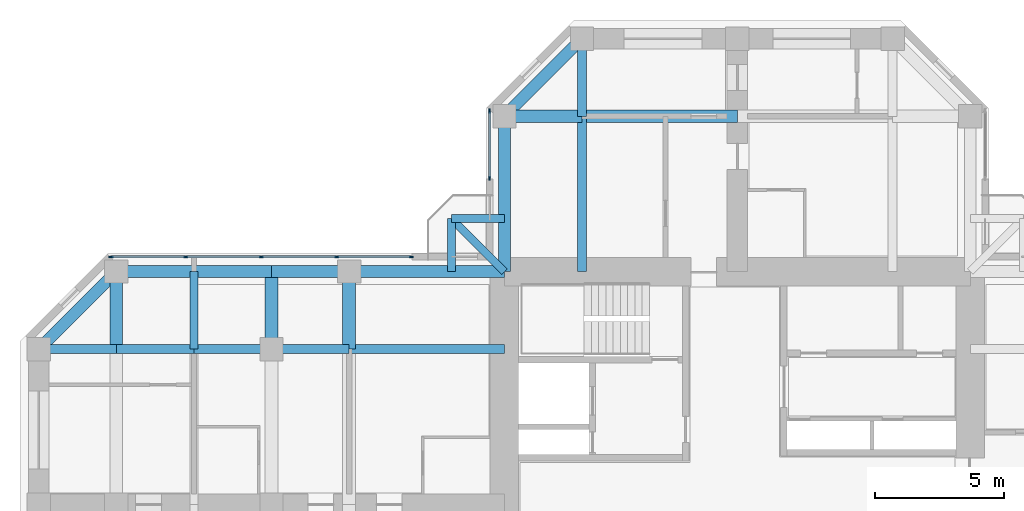
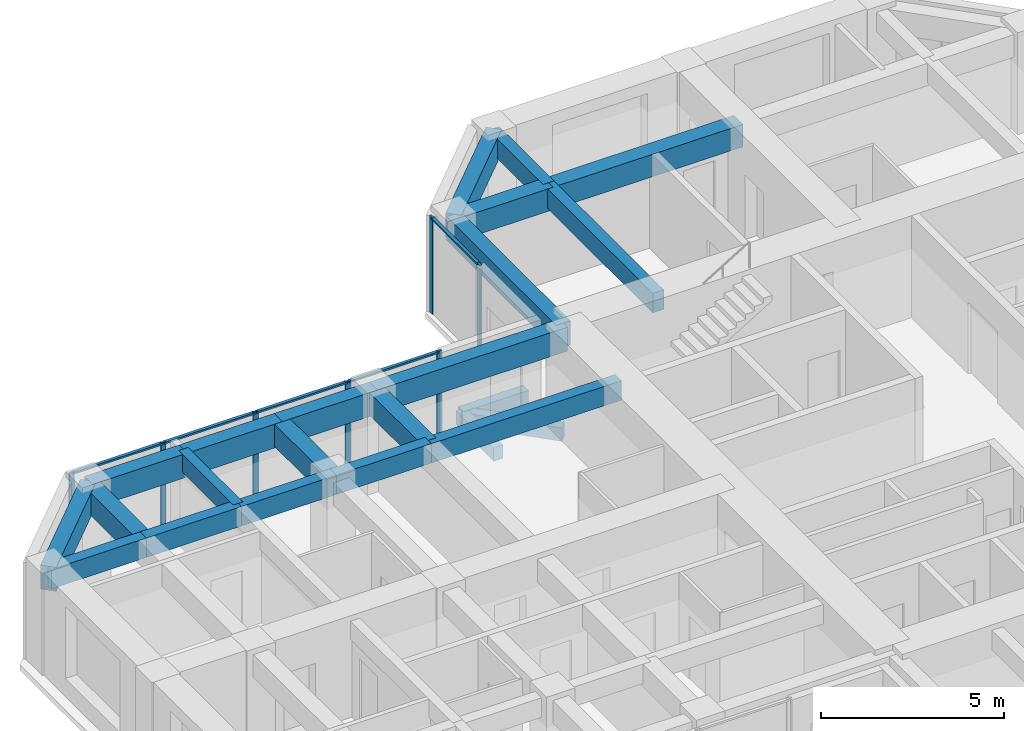
# One storey, part 5 of 13: 23 beams, 12 members, 2 elements without a shape of their own.
"""IFC4 building model written with IfcOpenShell, lengths in metres."""

from ifc_helpers import new_model, si_unit, direction, frame, origin, origin_2d, place, context, subcontext, project, spatial, rectangle, extrude, material, material_profile, profile_set, type_object, element, aggregate, save


model = new_model("IFC4")

# Units and contexts
model_context = context("Model", 3, precision=1e-05, world=origin(), true_north=direction((0.0, 1.0)))
body_context = subcontext(model_context, "Body", "Model", "MODEL_VIEW")
ifc_project = project(units=[si_unit("LENGTHUNIT", "METRE"), si_unit("AREAUNIT", "SQUARE_METRE"), si_unit("VOLUMEUNIT", "CUBIC_METRE"), si_unit("PLANEANGLEUNIT", "RADIAN"), si_unit("MASSUNIT", "GRAM", prefix="KILO")], contexts=[model_context])

# Site, building, storey
site_placement = place(None, origin())
site = spatial("IfcSite", under=ifc_project, at=site_placement, CompositionType="ELEMENT")
building_placement = place(site_placement, origin())
building = spatial("IfcBuilding", under=site, at=building_placement, Name="Torre Cruceta", CompositionType="ELEMENT")
storey_placement = place(building_placement, frame((0.0, 0.0, 196.699951171875)))
storey = spatial("IfcBuildingStorey", under=building, at=storey_placement, Name="L49", CompositionType="ELEMENT", Elevation=196.699951171875)

# Beams
ifc_material_1 = material(Name="Concrete G60 (fck 60 MPa)", Category="concrete")
ifc_material_profile_1 = material_profile(ifc_material_1, rectangle(XDim=0.300048828125, YDim=0.449951171875, at=origin_2d()), Name="RC 300X450")
ifc_profile_set_1 = profile_set([ifc_material_profile_1], Name="Concrete G60 (fck 60 MPa)")
beam_type_1 = type_object("IfcBeamType", Name="BALCONY CANTILEVER BEAM RC 300X450", PredefinedType="BEAM", material=ifc_profile_set_1)
beam_1_placement = place(storey_placement, frame((-9.0, 9.0, -0.405029296875), z_axis=(-0.707106781187, 0.707106781187, 0.0), x_axis=(-0.707106781187, -0.707106781187, 0.0)))
element("IfcBeam", 1, at=beam_1_placement, inside=storey, type_object=beam_type_1, Name="BB1 balcony beam L49 N", PredefinedType="BEAM", context=body_context, shape_type="SweptSolid", body=[
    extrude(rectangle(XDim=0.300048828125, YDim=0.449951171875, at=origin_2d()), origin(), (0.0, 0.0, 1.0), 2.89990234375),
])
for number, where, z_axis, x_axis, name in (
    (2, (-11.050537109375, 9.0, -0.405029296875), (0.0, 1.0, 0.0), (-1.0, 0.0, 0.0), "BB1 balcony edge beam L49 N-X"),
    (3, (-9.0, 11.050537109375, -0.405029296875), (-1.0, 0.0, 0.0), (0.0, -1.0, 0.0), "BB1 balcony edge beam L49 N-Y"),
):
    element("IfcBeam", number, at=place(storey_placement, frame(where, z_axis=z_axis, x_axis=x_axis)), inside=storey, type_object=beam_type_1, Name=name, PredefinedType="BEAM", context=body_context, shape_type="SweptSolid", body=[
        extrude(rectangle(XDim=0.300048828125, YDim=0.449951171875, at=origin_2d()), origin(), (0.0, 0.0, 1.0), 2.050537109375),
    ])
ifc_material_2 = material(Name="Concrete G60 (fck 60 MPa)", Category="concrete")
ifc_material_profile_2 = material_profile(ifc_material_2, rectangle(XDim=0.35009765625, YDim=0.64990234375, at=origin_2d()), Name="RC 350X650")
ifc_profile_set_2 = profile_set([ifc_material_profile_2], Name="Concrete G60 (fck 60 MPa)")
beam_type_2 = type_object("IfcBeamType", Name="COLUMN LINE BEAM RC 350X650", PredefinedType="BEAM", material=ifc_profile_set_2)
beam_2_placement = place(storey_placement, frame((-6.0, 9.0, 2.89501953125), z_axis=(0.0, 1.0, 0.0), x_axis=(-1.0, 0.0, 0.0)))
element("IfcBeam", 4, at=beam_2_placement, inside=storey, type_object=beam_type_2, Name="LB7 L49 N col+ 1", PredefinedType="BEAM", context=body_context, shape_type="SweptSolid", body=[
    extrude(rectangle(XDim=0.35009765625, YDim=0.64990234375, at=origin_2d()), origin(), (0.0, 0.0, 1.0), 6.0),
])
beam_3_placement = place(storey_placement, frame((-6.0, 15.0, 2.89501953125), z_axis=(0.0, 1.0, 0.0), x_axis=(-1.0, 0.0, 0.0)))
element("IfcBeam", 5, at=beam_3_placement, inside=storey, type_object=beam_type_2, Name="LB7 L49 N col+ 2", PredefinedType="BEAM", context=body_context, shape_type="SweptSolid", body=[
    extrude(rectangle(XDim=0.35009765625, YDim=0.64990234375, at=origin_2d()), origin(), (0.0, 0.0, 1.0), 3.0),
])
beam_4_placement = place(storey_placement, frame((-9.0, 6.0, 2.89501953125), z_axis=(-1.0, 0.0, 0.0), x_axis=(0.0, -1.0, 0.0)))
element("IfcBeam", 6, at=beam_4_placement, inside=storey, type_object=beam_type_2, Name="LB7 L49 W col- 1", PredefinedType="BEAM", context=body_context, shape_type="SweptSolid", body=[
    extrude(rectangle(XDim=0.35009765625, YDim=0.64990234375, at=origin_2d()), origin(), (0.0, 0.0, 1.0), 6.0),
])
for number, where, z_axis, x_axis, name in (
    (7, (-15.0, 6.0, 2.89501953125), (-1.0, 0.0, 0.0), (0.0, -1.0, 0.0), "LB7 L49 W col- 2"),
    (8, (-18.0, 6.0, 2.89501953125), (-1.0, 0.0, 0.0), (0.0, -1.0, 0.0), "LB7 L49 W col- 3"),
    (9, (-21.0, 6.0, 2.89501953125), (-1.0, 0.0, 0.0), (0.0, -1.0, 0.0), "LB7 L49 W col- 4"),
    (10, (-24.0, 6.0, 2.89501953125), (-1.0, 0.0, 0.0), (0.0, -1.0, 0.0), "LB7 L49 W col- 5"),
):
    element("IfcBeam", number, at=place(storey_placement, frame(where, z_axis=z_axis, x_axis=x_axis)), inside=storey, type_object=beam_type_2, Name=name, PredefinedType="BEAM", context=body_context, shape_type="SweptSolid", body=[
        extrude(rectangle(XDim=0.35009765625, YDim=0.64990234375, at=origin_2d()), origin(), (0.0, 0.0, 1.0), 3.0),
    ])
ifc_material_3 = material(Name="Concrete G60 (fck 60 MPa)", Category="concrete")
ifc_material_profile_3 = material_profile(ifc_material_3, rectangle(XDim=0.5, YDim=0.75, at=origin_2d()), Name="RC 500X750")
ifc_profile_set_3 = profile_set([ifc_material_profile_3], Name="Concrete G60 (fck 60 MPa)")
beam_type_3 = type_object("IfcBeamType", Name="CROSS BEAM RC 500X750", PredefinedType="BEAM", material=ifc_profile_set_3)
beam_5_placement = place(storey_placement, frame((0.0, 15.0, 2.844970703125), z_axis=(-1.0, 0.0, 0.0), x_axis=(0.0, -1.0, 0.0)))
element("IfcBeam", 11, at=beam_5_placement, inside=storey, type_object=beam_type_3, Name="GB6 L49 N cross15 3", PredefinedType="BEAM", context=body_context, shape_type="SweptSolid", body=[
    extrude(rectangle(XDim=0.5, YDim=0.75, at=origin_2d()), origin(), (0.0, 0.0, 1.0), 6.0),
])
for number, where, z_axis, x_axis, name in (
    (12, (-6.0, 15.0, 2.844970703125), (-1.0, 0.0, 0.0), (0.0, -1.0, 0.0), "GB6 L49 N cross15 4"),
    (13, (-15.0, 9.0, 2.844970703125), (0.0, -1.0, 0.0), (1.0, 0.0, 0.0), "GB6 L49 W cross15 1"),
    (14, (-18.0, 9.0, 2.844970703125), (0.0, -1.0, 0.0), (1.0, 0.0, 0.0), "GB6 L49 W cross18 1"),
    (15, (-24.0, 9.0, 2.844970703125), (0.0, -1.0, 0.0), (1.0, 0.0, 0.0), "GB6 L49 W cross24 1"),
):
    element("IfcBeam", number, at=place(storey_placement, frame(where, z_axis=z_axis, x_axis=x_axis)), inside=storey, type_object=beam_type_3, Name=name, PredefinedType="BEAM", context=body_context, shape_type="SweptSolid", body=[
        extrude(rectangle(XDim=0.5, YDim=0.75, at=origin_2d()), origin(), (0.0, 0.0, 1.0), 3.0),
    ])

# Curtain wall, members
ifc_material_4 = material(Name="Aluminium unitised curtain wall", Category="aluminium")
curtain_wall_type = type_object("IfcCurtainWallType", Name="CURTAIN WALL CW-C CO-LIVING", PredefinedType="USERDEFINED", material=ifc_material_4)
curtain_wall_1_placement = place(storey_placement, origin())
curtain_wall_1 = element("IfcCurtainWall", 16, at=curtain_wall_1_placement, inside=storey, type_object=curtain_wall_type, Name="CW-C L49 N side 09", ObjectType="UNITISED", PredefinedType="USERDEFINED")
ifc_material_5 = material(Name="Aluminium mullion", Category="aluminium")
ifc_material_profile_4 = material_profile(ifc_material_5, rectangle(XDim=0.06005859375, YDim=0.159912109375, at=origin_2d()), Name="AL 60X160")
ifc_profile_set_4 = profile_set([ifc_material_profile_4], Name="Aluminium mullion")
member_type_1 = type_object("IfcMemberType", Name="CW-C MULLION 60X160", PredefinedType="MULLION", material=ifc_profile_set_4)
member_1_placement = place(storey_placement, frame((-9.570068359375, 15.2060546875, 0.0), z_axis=(0.0, 0.0, 1.0), x_axis=(1.0, 0.0, 0.0)))
member_1 = element("IfcMember", 17, at=member_1_placement, type_object=member_type_1, Name="CW-C mullion 1", PredefinedType="MULLION", context=body_context, shape_type="SweptSolid", body=[
    extrude(rectangle(XDim=0.06005859375, YDim=0.159912109375, at=origin_2d()), origin(), (0.0, 0.0, 1.0), 3.219970703125),
])
member_2_placement = place(storey_placement, frame((-9.570068359375, 12.60009765625, 0.0), z_axis=(0.0, 0.0, 1.0), x_axis=(1.0, 0.0, 0.0)))
member_2 = element("IfcMember", 18, at=member_2_placement, type_object=member_type_1, Name="CW-C mullion 2", PredefinedType="MULLION", context=body_context, shape_type="SweptSolid", body=[
    extrude(rectangle(XDim=0.06005859375, YDim=0.159912109375, at=origin_2d()), origin(), (0.0, 0.0, 1.0), 3.219970703125),
])

curtain_wall_2_placement = place(storey_placement, origin())
curtain_wall_2 = element("IfcCurtainWall", 19, at=curtain_wall_2_placement, inside=storey, type_object=curtain_wall_type, Name="CW-C L49 W side 10", ObjectType="UNITISED", PredefinedType="USERDEFINED")
member_3_placement = place(storey_placement, frame((-12.60009765625, 9.570068359375, 0.0), z_axis=(0.0, 0.0, 1.0), x_axis=(0.0, -1.0, 0.0)))
member_3 = element("IfcMember", 20, at=member_3_placement, type_object=member_type_1, Name="CW-C mullion 1", PredefinedType="MULLION", context=body_context, shape_type="SweptSolid", body=[
    extrude(rectangle(XDim=0.06005859375, YDim=0.159912109375, at=origin_2d()), origin(), (0.0, 0.0, 1.0), 3.219970703125),
])
member_4_placement = place(storey_placement, frame((-15.486572265625, 9.570068359375, 0.0), z_axis=(0.0, 0.0, 1.0), x_axis=(0.0, -1.0, 0.0)))
member_4 = element("IfcMember", 21, at=member_4_placement, type_object=member_type_1, Name="CW-C mullion 2", PredefinedType="MULLION", context=body_context, shape_type="SweptSolid", body=[
    extrude(rectangle(XDim=0.06005859375, YDim=0.159912109375, at=origin_2d()), origin(), (0.0, 0.0, 1.0), 3.219970703125),
])
member_5_placement = place(storey_placement, frame((-18.403076171875, 9.570068359375, 0.0), z_axis=(0.0, 0.0, 1.0), x_axis=(0.0, -1.0, 0.0)))
member_5 = element("IfcMember", 22, at=member_5_placement, type_object=member_type_1, Name="CW-C mullion 3", PredefinedType="MULLION", context=body_context, shape_type="SweptSolid", body=[
    extrude(rectangle(XDim=0.06005859375, YDim=0.159912109375, at=origin_2d()), origin(), (0.0, 0.0, 1.0), 3.219970703125),
])
member_6_placement = place(storey_placement, frame((-21.319580078125, 9.570068359375, 0.0), z_axis=(0.0, 0.0, 1.0), x_axis=(0.0, -1.0, 0.0)))
member_6 = element("IfcMember", 23, at=member_6_placement, type_object=member_type_1, Name="CW-C mullion 4", PredefinedType="MULLION", context=body_context, shape_type="SweptSolid", body=[
    extrude(rectangle(XDim=0.06005859375, YDim=0.159912109375, at=origin_2d()), origin(), (0.0, 0.0, 1.0), 3.219970703125),
])
member_7_placement = place(storey_placement, frame((-24.2060546875, 9.570068359375, 0.0), z_axis=(0.0, 0.0, 1.0), x_axis=(0.0, -1.0, 0.0)))
member_7 = element("IfcMember", 24, at=member_7_placement, type_object=member_type_1, Name="CW-C mullion 5", PredefinedType="MULLION", context=body_context, shape_type="SweptSolid", body=[
    extrude(rectangle(XDim=0.06005859375, YDim=0.159912109375, at=origin_2d()), origin(), (0.0, 0.0, 1.0), 3.219970703125),
])

# Member
ifc_material_6 = material(Name="Aluminium transom", Category="aluminium")
ifc_material_profile_5 = material_profile(ifc_material_6, rectangle(XDim=0.10009765625, YDim=0.06005859375, at=origin_2d()), Name="AL 100X60")
ifc_profile_set_5 = profile_set([ifc_material_profile_5], Name="Aluminium transom")
member_type_2 = type_object("IfcMemberType", Name="CW-C TRANSOM 60X100", PredefinedType="USERDEFINED", material=ifc_profile_set_5)
member_8_placement = place(storey_placement, frame((-9.570068359375, 15.176025390625, 3.18994140625), z_axis=(0.0, -1.0, 0.0), x_axis=(1.0, 0.0, 0.0)))
member_8 = element("IfcMember", 25, at=member_8_placement, type_object=member_type_2, Name="CW-C transom 1", ObjectType="TRANSOM", PredefinedType="USERDEFINED", context=body_context, shape_type="SweptSolid", body=[
    extrude(rectangle(XDim=0.10009765625, YDim=0.06005859375, at=origin_2d()), origin(), (0.0, 0.0, 1.0), 2.546142578125),
])

aggregate(curtain_wall_1, [member_1, member_2, member_8])

member_9_placement = place(storey_placement, frame((-12.6298828125, 9.570068359375, 3.18994140625), z_axis=(-1.0, 0.0, 0.0), x_axis=(0.0, -1.0, 0.0)))
member_9 = element("IfcMember", 26, at=member_9_placement, type_object=member_type_2, Name="CW-C transom 1", ObjectType="TRANSOM", PredefinedType="USERDEFINED", context=body_context, shape_type="SweptSolid", body=[
    extrude(rectangle(XDim=0.10009765625, YDim=0.06005859375, at=origin_2d()), origin(), (0.0, 0.0, 1.0), 2.82666015625),
])

member_10_placement = place(storey_placement, frame((-15.5166015625, 9.570068359375, 3.18994140625), z_axis=(-1.0, 0.0, 0.0), x_axis=(0.0, -1.0, 0.0)))
member_10 = element("IfcMember", 27, at=member_10_placement, type_object=member_type_2, Name="CW-C transom 2", ObjectType="TRANSOM", PredefinedType="USERDEFINED", context=body_context, shape_type="SweptSolid", body=[
    extrude(rectangle(XDim=0.10009765625, YDim=0.06005859375, at=origin_2d()), origin(), (0.0, 0.0, 1.0), 2.8564453125),
])

member_11_placement = place(storey_placement, frame((-18.43310546875, 9.570068359375, 3.18994140625), z_axis=(-1.0, 0.0, 0.0), x_axis=(0.0, -1.0, 0.0)))
member_11 = element("IfcMember", 28, at=member_11_placement, type_object=member_type_2, Name="CW-C transom 3", ObjectType="TRANSOM", PredefinedType="USERDEFINED", context=body_context, shape_type="SweptSolid", body=[
    extrude(rectangle(XDim=0.10009765625, YDim=0.06005859375, at=origin_2d()), origin(), (0.0, 0.0, 1.0), 2.8564453125),
])

member_12_placement = place(storey_placement, frame((-21.349609375, 9.570068359375, 3.18994140625), z_axis=(-1.0, 0.0, 0.0), x_axis=(0.0, -1.0, 0.0)))
member_12 = element("IfcMember", 29, at=member_12_placement, type_object=member_type_2, Name="CW-C transom 4", ObjectType="TRANSOM", PredefinedType="USERDEFINED", context=body_context, shape_type="SweptSolid", body=[
    extrude(rectangle(XDim=0.10009765625, YDim=0.06005859375, at=origin_2d()), origin(), (0.0, 0.0, 1.0), 2.826416015625),
])

aggregate(curtain_wall_2, [member_3, member_4, member_5, member_6, member_7, member_9, member_10, member_11, member_12])

# Beams
ifc_material_7 = material(Name="Concrete G60 (fck 60 MPa)", Category="concrete")
ifc_material_profile_6 = material_profile(ifc_material_7, rectangle(XDim=0.300048828125, YDim=0.60009765625, at=origin_2d()), Name="RC 300X600")
ifc_profile_set_6 = profile_set([ifc_material_profile_6], Name="Concrete G60 (fck 60 MPa)")
beam_type_4 = type_object("IfcBeamType", Name="SECONDARY BEAM RC 300X600", PredefinedType="JOIST", material=ifc_profile_set_6)
beam_6_placement = place(storey_placement, frame((-21.0, 9.0, 2.920166015625), z_axis=(0.0, -1.0, 0.0), x_axis=(1.0, 0.0, 0.0)))
element("IfcBeam", 30, at=beam_6_placement, inside=storey, type_object=beam_type_4, Name="JB6 L49 W sec21 1", PredefinedType="JOIST", context=body_context, shape_type="SweptSolid", body=[
    extrude(rectangle(XDim=0.300048828125, YDim=0.60009765625, at=origin_2d()), origin(), (0.0, 0.0, 1.0), 3.0),
])
ifc_material_8 = material(Name="Concrete G60 (fck 60 MPa)", Category="concrete")
ifc_material_profile_7 = material_profile(ifc_material_8, rectangle(XDim=0.449951171875, YDim=0.800048828125, at=origin_2d()), Name="RC 450X800")
ifc_profile_set_7 = profile_set([ifc_material_profile_7], Name="Concrete G60 (fck 60 MPa)")
beam_type_5 = type_object("IfcBeamType", Name="SPANDREL BEAM RC 450X800", PredefinedType="SPANDREL", material=ifc_profile_set_7)
beam_7_placement = place(storey_placement, frame((-9.0, 9.0, 2.820068359375), z_axis=(0.0, 1.0, 0.0), x_axis=(-1.0, 0.0, 0.0)))
element("IfcBeam", 31, at=beam_7_placement, inside=storey, type_object=beam_type_5, Name="SB6 L49 N side+ 1", PredefinedType="SPANDREL", context=body_context, shape_type="SweptSolid", body=[
    extrude(rectangle(XDim=0.449951171875, YDim=0.800048828125, at=origin_2d()), origin(), (0.0, 0.0, 1.0), 6.0),
])
beam_8_placement = place(storey_placement, frame((-9.0, 15.0, 2.820068359375), z_axis=(0.707106781187, 0.707106781187, 0.0), x_axis=(-0.707106781187, 0.707106781187, 0.0)))
element("IfcBeam", 32, at=beam_8_placement, inside=storey, type_object=beam_type_5, Name="SB6 L49 N side+ 2", PredefinedType="SPANDREL", context=body_context, shape_type="SweptSolid", body=[
    extrude(rectangle(XDim=0.449951171875, YDim=0.800048828125, at=origin_2d()), origin(), (0.0, 0.0, 1.0), 4.24267578125),
])
beam_9_placement = place(storey_placement, frame((-9.0, 9.0, 2.820068359375), z_axis=(-1.0, 0.0, 0.0), x_axis=(0.0, -1.0, 0.0)))
element("IfcBeam", 33, at=beam_9_placement, inside=storey, type_object=beam_type_5, Name="SB6 L49 W side- 1", PredefinedType="SPANDREL", context=body_context, shape_type="SweptSolid", body=[
    extrude(rectangle(XDim=0.449951171875, YDim=0.800048828125, at=origin_2d()), origin(), (0.0, 0.0, 1.0), 6.0),
])
for number, where, z_axis, x_axis, name in (
    (34, (-15.0, 9.0, 2.820068359375), (-1.0, 0.0, 0.0), (0.0, -1.0, 0.0), "SB6 L49 W side- 2"),
    (35, (-18.0, 9.0, 2.820068359375), (-1.0, 0.0, 0.0), (0.0, -1.0, 0.0), "SB6 L49 W side- 3"),
    (36, (-21.0, 9.0, 2.820068359375), (-1.0, 0.0, 0.0), (0.0, -1.0, 0.0), "SB6 L49 W side- 4"),
):
    element("IfcBeam", number, at=place(storey_placement, frame(where, z_axis=z_axis, x_axis=x_axis)), inside=storey, type_object=beam_type_5, Name=name, PredefinedType="SPANDREL", context=body_context, shape_type="SweptSolid", body=[
        extrude(rectangle(XDim=0.449951171875, YDim=0.800048828125, at=origin_2d()), origin(), (0.0, 0.0, 1.0), 3.0),
    ])
beam_10_placement = place(storey_placement, frame((-24.0, 9.0, 2.820068359375), z_axis=(-0.707106781187, -0.707106781187, 0.0), x_axis=(0.707106781187, -0.707106781187, 0.0)))
element("IfcBeam", 37, at=beam_10_placement, inside=storey, type_object=beam_type_5, Name="SB6 L49 W side- 5", PredefinedType="SPANDREL", context=body_context, shape_type="SweptSolid", body=[
    extrude(rectangle(XDim=0.449951171875, YDim=0.800048828125, at=origin_2d()), origin(), (0.0, 0.0, 1.0), 4.24267578125),
])

save(model, "model.ifc")
